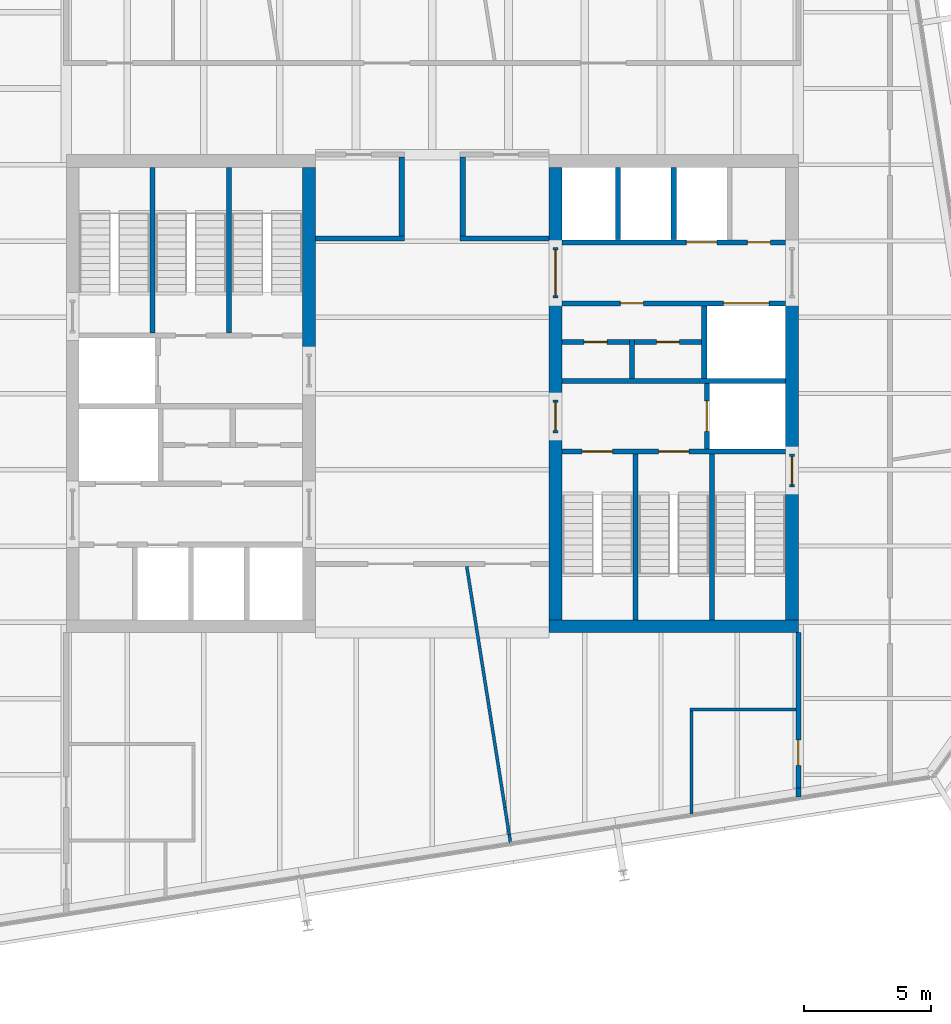
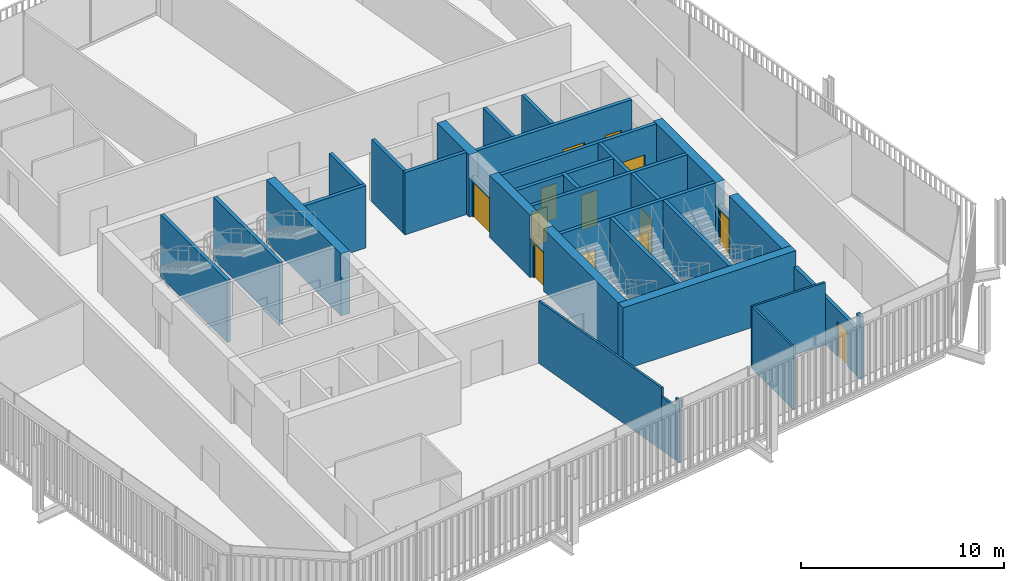
# One storey, part 17 of 20: 35 walls, 13 doors, 13 openings.
"""IFC4 building model written with IfcOpenShell, lengths in metres."""

from ifc_helpers import new_model, si_unit, direction, frame, frame_2d, origin, place, context, subcontext, project, spatial, rectangle, extrude, material, layer, layer_set, type_object, element, fill, save


model = new_model("IFC4")

# Units and contexts
model_context = context("Model", 3, precision=1e-05, world=origin(), true_north=direction((0.0, 1.0)))
body_context = subcontext(model_context, "Body", "Model", "MODEL_VIEW")
ifc_project = project(units=[si_unit("LENGTHUNIT", "METRE"), si_unit("AREAUNIT", "SQUARE_METRE"), si_unit("VOLUMEUNIT", "CUBIC_METRE"), si_unit("PLANEANGLEUNIT", "RADIAN"), si_unit("MASSUNIT", "GRAM", prefix="KILO")], contexts=[model_context])

# Site, building, storey
site_placement = place(None, origin())
site = spatial("IfcSite", under=ifc_project, at=site_placement, CompositionType="ELEMENT")
building_placement = place(site_placement, origin())
building = spatial("IfcBuilding", under=site, at=building_placement, Name="Millrace Tower", CompositionType="ELEMENT")
storey_placement = place(building_placement, frame((0.0, 0.0, 216.39990234375)))
storey = spatial("IfcBuildingStorey", under=building, at=storey_placement, Name="L49", CompositionType="ELEMENT", Elevation=216.39990234375)

# Walls
ifc_material_1 = material(Name="Concrete C60", Category="concrete")
ifc_layer_1 = layer(ifc_material_1, 0.5)
ifc_layer_set_1 = layer_set([ifc_layer_1], Name="Concrete C60")
wall_type_1 = type_object("IfcWallType", Name="Core wall 500 Concrete C60", PredefinedType="SHEAR", material=ifc_layer_set_1)
wall_1_placement = place(storey_placement, frame((-4.85009765625, 1.550048828125, 0.0), z_axis=(0.0, 0.0, 1.0), x_axis=(0.0, 1.0, 0.0)))
element("IfcWall", 1, at=wall_1_placement, inside=storey, type_object=wall_type_1, Name="Core wall W L49", PredefinedType="SHEAR", context=body_context, shape_type="SweptSolid", body=[
    extrude(rectangle(XDim=7.349853515625, YDim=0.5, at=frame_2d((3.6748046875, 0.0))), origin(), (0.0, 0.0, 1.0), 3.739990234375),
])
wall_2_placement = place(storey_placement, frame((14.39990234375, -9.14990234375, 0.0), z_axis=(0.0, 0.0, 1.0), x_axis=(-1.0, 0.0, 0.0)))
element("IfcWall", 2, at=wall_2_placement, inside=storey, type_object=wall_type_1, Name="Core wall E L49", PredefinedType="SHEAR", context=body_context, shape_type="SweptSolid", body=[
    extrude(rectangle(XDim=9.7998046875, YDim=0.5, at=frame_2d((4.89990234375, 0.0))), origin(), (0.0, 0.0, 1.0), 3.739990234375),
])
wall_3_placement = place(storey_placement, frame((14.14990234375, 3.75, 0.0), z_axis=(0.0, 0.0, 1.0), x_axis=(0.0, -1.0, 0.0)))
element("IfcWall", 3, at=wall_3_placement, inside=storey, type_object=wall_type_1, Name="Core wall E L49", PredefinedType="SHEAR", context=body_context, shape_type="SweptSolid", body=[
    extrude(rectangle(XDim=6.1298828125, YDim=0.5, at=frame_2d((3.06494140625, 0.0))), origin(), (0.0, 0.0, 1.0), 3.739990234375),
])
wall_4_placement = place(storey_placement, frame((14.14990234375, -3.679931640625, 0.0), z_axis=(0.0, 0.0, 1.0), x_axis=(0.0, -1.0, 0.0)))
element("IfcWall", 4, at=wall_4_placement, inside=storey, type_object=wall_type_1, Name="Core wall E L49", PredefinedType="SHEAR", context=body_context, shape_type="SweptSolid", body=[
    extrude(rectangle(XDim=5.219970703125, YDim=0.5, at=frame_2d((2.60986328125, 0.0))), origin(), (0.0, 0.0, 1.0), 3.739990234375),
])
wall_5_placement = place(storey_placement, frame((4.85009765625, 8.89990234375, 0.0), z_axis=(0.0, 0.0, 1.0), x_axis=(0.0, -1.0, 0.0)))
element("IfcWall", 5, at=wall_5_placement, inside=storey, type_object=wall_type_1, Name="Core wall E L49", PredefinedType="SHEAR", context=body_context, shape_type="SweptSolid", body=[
    extrude(rectangle(XDim=3.14990234375, YDim=0.5, at=frame_2d((1.574951171875, 0.0))), origin(), (0.0, 0.0, 1.0), 3.739990234375),
])
wall_6_placement = place(storey_placement, frame((4.85009765625, 3.75, 0.0), z_axis=(0.0, 0.0, 1.0), x_axis=(0.0, -1.0, 0.0)))
element("IfcWall", 6, at=wall_6_placement, inside=storey, type_object=wall_type_1, Name="Core wall E L49", PredefinedType="SHEAR", context=body_context, shape_type="SweptSolid", body=[
    extrude(rectangle(XDim=4.0, YDim=0.5, at=frame_2d((2.0, 0.0))), origin(), (0.0, 0.0, 1.0), 3.739990234375),
])
wall_7_placement = place(storey_placement, frame((4.85009765625, -1.550048828125, 0.0), z_axis=(0.0, 0.0, 1.0), x_axis=(0.0, -1.0, 0.0)))
element("IfcWall", 7, at=wall_7_placement, inside=storey, type_object=wall_type_1, Name="Core wall E L49", PredefinedType="SHEAR", context=body_context, shape_type="SweptSolid", body=[
    extrude(rectangle(XDim=7.349853515625, YDim=0.5, at=frame_2d((3.6748046875, 0.0))), origin(), (0.0, 0.0, 1.0), 3.739990234375),
])
ifc_material_2 = material(Name="Masonry partition, fire-rated", Category="masonry")
ifc_layer_2 = layer(ifc_material_2, 0.199951171875)
ifc_layer_set_2 = layer_set([ifc_layer_2], Name="Masonry partition, fire-rated")
wall_type_2 = type_object("IfcWallType", Name="Corridor wall 200", PredefinedType="PARTITIONING", material=ifc_layer_set_2)
for number, where, z_axis, x_axis, name in (
    (8, (-4.60009765625, 6.10009765625, 0.0), (0.0, 0.0, 1.0), (1.0, 0.0, 0.0), "Corridor wall L49"),
    (9, (1.10009765625, 6.10009765625, 0.0), (0.0, 0.0, 1.0), (1.0, 0.0, 0.0), "Corridor wall L49"),
):
    element("IfcWall", number, at=place(storey_placement, frame(where, z_axis=z_axis, x_axis=x_axis)), inside=storey, type_object=wall_type_2, Name=name, PredefinedType="PARTITIONING", context=body_context, shape_type="SweptSolid", body=[
        extrude(rectangle(XDim=3.5, YDim=0.199951171875, at=frame_2d((1.75, 0.0))), origin(), (0.0, 0.0, 1.0), 3.739990234375),
    ])
wall_8_placement = place(storey_placement, frame((14.39990234375, -15.87451171875, 0.0), z_axis=(0.0, 0.0, 1.0), x_axis=(0.0, 1.0, 0.0)))
element("IfcWall", 10, at=wall_8_placement, inside=storey, type_object=wall_type_2, Name="Corridor wall L49", PredefinedType="PARTITIONING", context=body_context, shape_type="SweptSolid", body=[
    extrude(rectangle(XDim=0.349609375, YDim=0.199951171875, at=frame_2d((0.1748046875, 0.0))), origin(), (0.0, 0.0, 1.0), 3.739990234375),
])

# Wall, opening, door
wall_9_placement = place(storey_placement, frame((14.39990234375, -15.52490234375, 0.0), z_axis=(0.0, 0.0, 1.0), x_axis=(0.0, 1.0, 0.0)))
wall_9 = element("IfcWall", 11, at=wall_9_placement, inside=storey, type_object=wall_type_2, Name="Corridor wall L49", PredefinedType="PARTITIONING", context=body_context, shape_type="SweptSolid", body=[
    extrude(rectangle(XDim=6.125, YDim=0.199951171875, at=frame_2d((3.0625, 0.0))), origin(), (0.0, 0.0, 1.0), 2.81298828125),
])
opening_1_placement = place(wall_9_placement, frame((0.90087890625, 0.0, 0.0)))
opening_1 = element("IfcOpeningElement", 12, at=opening_1_placement, cuts=wall_9, Name="Opening 49-P018", PredefinedType="OPENING", context=body_context, shape_type="SweptSolid", body=[
    extrude(rectangle(XDim=1.0, YDim=2.10009765625, at=frame_2d((0.5, 1.050048828125))), frame((0.0, 0.10986328125, 0.0), z_axis=(0.0, -1.0, 0.0), x_axis=(1.0, 0.0, 0.0)), (0.0, 0.0, 1.0), 0.219970703125),
])
ifc_material_3 = material(Name="Steel door set, fire-rated", Category="steel")
door_type_1 = type_object("IfcDoorType", Name="Corridor door 1000 x 2100", OperationType="SINGLE_SWING_LEFT", PredefinedType="DOOR", material=ifc_material_3)
door_1_placement = place(opening_1_placement, origin())
door_1 = element("IfcDoor", 13, at=door_1_placement, inside=storey, type_object=door_type_1, Name="Door 49-P018", OperationType="SINGLE_SWING_LEFT", OverallHeight=2.10009765625, OverallWidth=1.0, PredefinedType="DOOR", context=body_context, shape_type="SweptSolid", body=[
    extrude(rectangle(XDim=1.0, YDim=2.10009765625, at=frame_2d((0.5, 1.050048828125))), frame((0.0, 0.02490234375, 0.0), z_axis=(0.0, -1.0, 0.0), x_axis=(1.0, 0.0, 0.0)), (0.0, 0.0, 1.0), 0.050048828125),
])
fill(opening_1, door_1)

# Walls
for number, where, z_axis, x_axis, name in (
    (14, (1.199951171875, 6.199951171875, 0.0), (0.0, 0.0, 1.0), (0.0, 1.0, 0.0), "Corridor wall L49"),
    (15, (-1.199951171875, 6.199951171875, 0.0), (0.0, 0.0, 1.0), (0.0, 1.0, 0.0), "Corridor wall L49"),
):
    element("IfcWall", number, at=place(storey_placement, frame(where, z_axis=z_axis, x_axis=x_axis)), inside=storey, type_object=wall_type_2, Name=name, PredefinedType="PARTITIONING", context=body_context, shape_type="SweptSolid", body=[
        extrude(rectangle(XDim=3.10009765625, YDim=0.199951171875, at=frame_2d((1.550048828125, 0.0))), origin(), (0.0, 0.0, 1.0), 3.739990234375),
    ])

# Wall, openings, doors
ifc_material_4 = material(Name="Masonry partition, fire-rated", Category="masonry")
ifc_layer_3 = layer(ifc_material_4, 0.199951171875)
ifc_layer_set_3 = layer_set([ifc_layer_3], Name="Masonry partition, fire-rated")
wall_type_3 = type_object("IfcWallType", Name="Lift shaft wall 200", PredefinedType="PARTITIONING", material=ifc_layer_set_3)
wall_10_placement = place(storey_placement, frame((13.89990234375, 5.949951171875, 0.0), z_axis=(0.0, 0.0, 1.0), x_axis=(-1.0, 0.0, 0.0)))
wall_10 = element("IfcWall", 16, at=wall_10_placement, inside=storey, type_object=wall_type_3, Name="Lift shaft wall E L49", PredefinedType="PARTITIONING", context=body_context, shape_type="SweptSolid", body=[
    extrude(rectangle(XDim=8.7998046875, YDim=0.199951171875, at=frame_2d((4.39990234375, 0.0))), origin(), (0.0, 0.0, 1.0), 3.739990234375),
])
opening_2_placement = place(wall_10_placement, frame((2.699951171875, 0.0, 0.0)))
opening_2 = element("IfcOpeningElement", 17, at=opening_2_placement, cuts=wall_10, Name="Opening 49-LD10", PredefinedType="OPENING", context=body_context, shape_type="SweptSolid", body=[
    extrude(rectangle(XDim=1.199951171875, YDim=2.10009765625, at=frame_2d((0.60009765625, 1.050048828125))), frame((0.0, 0.10986328125, 0.0), z_axis=(0.0, -1.0, 0.0), x_axis=(1.0, 0.0, 0.0)), (0.0, 0.0, 1.0), 0.219970703125),
])
opening_3_placement = place(wall_10_placement, frame((0.60009765625, 0.0, 0.0)))
opening_3 = element("IfcOpeningElement", 18, at=opening_3_placement, cuts=wall_10, Name="Opening 49-C015", PredefinedType="OPENING", context=body_context, shape_type="SweptSolid", body=[
    extrude(rectangle(XDim=0.89990234375, YDim=2.10009765625, at=frame_2d((0.449951171875, 1.050048828125))), frame((0.0, 0.10986328125, 0.0), z_axis=(0.0, -1.0, 0.0), x_axis=(1.0, 0.0, 0.0)), (0.0, 0.0, 1.0), 0.219970703125),
])
ifc_material_5 = material(Name="Stainless steel, fire-rated", Category="steel")
door_type_2 = type_object("IfcDoorType", Name="Lift landing door 1200 x 2100", OperationType="DOUBLE_DOOR_SLIDING", PredefinedType="DOOR", material=ifc_material_5)
door_2_placement = place(opening_2_placement, origin())
door_2 = element("IfcDoor", 19, at=door_2_placement, inside=storey, type_object=door_type_2, Name="Lift landing door LF10 L49", OperationType="DOUBLE_DOOR_SLIDING", OverallHeight=2.10009765625, OverallWidth=1.199951171875, PredefinedType="DOOR", context=body_context, shape_type="SweptSolid", body=[
    extrude(rectangle(XDim=1.199951171875, YDim=2.10009765625, at=frame_2d((0.60009765625, 1.050048828125))), frame((0.0, 0.02490234375, 0.0), z_axis=(0.0, -1.0, 0.0), x_axis=(1.0, 0.0, 0.0)), (0.0, 0.0, 1.0), 0.050048828125),
])
fill(opening_2, door_2)
ifc_material_6 = material(Name="Steel door, fire-rated", Category="steel")
door_type_3 = type_object("IfcDoorType", Name="Service room door 900 x 2100", OperationType="SINGLE_SWING_LEFT", PredefinedType="DOOR", material=ifc_material_6)
door_3_placement = place(opening_3_placement, frame((0.89990234375, 0.0, 0.0), z_axis=(0.0, 0.0, 1.0), x_axis=(-1.0, 0.0, 0.0)))
door_3 = element("IfcDoor", 20, at=door_3_placement, inside=storey, type_object=door_type_3, Name="Service room door 49-C015", OperationType="SINGLE_SWING_RIGHT", OverallHeight=2.10009765625, OverallWidth=0.89990234375, PredefinedType="DOOR", context=body_context, shape_type="SweptSolid", body=[
    extrude(rectangle(XDim=0.89990234375, YDim=2.10009765625, at=frame_2d((0.449951171875, 1.050048828125))), frame((0.0, 0.02490234375, 0.0), z_axis=(0.0, -1.0, 0.0), x_axis=(1.0, 0.0, 0.0)), (0.0, 0.0, 1.0), 0.050048828125),
])
fill(opening_3, door_3)

wall_11_placement = place(storey_placement, frame((13.89990234375, 3.550048828125, 0.0), z_axis=(0.0, 0.0, 1.0), x_axis=(-1.0, 0.0, 0.0)))
wall_11 = element("IfcWall", 21, at=wall_11_placement, inside=storey, type_object=wall_type_3, Name="Lift shaft wall E L49", PredefinedType="PARTITIONING", context=body_context, shape_type="SweptSolid", body=[
    extrude(rectangle(XDim=8.7998046875, YDim=0.199951171875, at=frame_2d((4.39990234375, 0.0))), origin(), (0.0, 0.0, 1.0), 3.739990234375),
])
opening_4_placement = place(wall_11_placement, frame((0.64990234375, 0.0, 0.0)))
opening_4 = element("IfcOpeningElement", 22, at=opening_4_placement, cuts=wall_11, Name="Opening 49-LD13", PredefinedType="OPENING", context=body_context, shape_type="SweptSolid", body=[
    extrude(rectangle(XDim=1.800048828125, YDim=2.10009765625, at=frame_2d((0.89990234375, 1.050048828125))), frame((0.0, 0.10986328125, 0.0), z_axis=(0.0, -1.0, 0.0), x_axis=(1.0, 0.0, 0.0)), (0.0, 0.0, 1.0), 0.219970703125),
])
opening_5_placement = place(wall_11_placement, frame((5.60009765625, 0.0, 0.0)))
opening_5 = element("IfcOpeningElement", 23, at=opening_5_placement, cuts=wall_11, Name="Opening 49-C016", PredefinedType="OPENING", context=body_context, shape_type="SweptSolid", body=[
    extrude(rectangle(XDim=0.89990234375, YDim=2.10009765625, at=frame_2d((0.449951171875, 1.050048828125))), frame((0.0, 0.10986328125, 0.0), z_axis=(0.0, -1.0, 0.0), x_axis=(1.0, 0.0, 0.0)), (0.0, 0.0, 1.0), 0.219970703125),
])
ifc_material_7 = material(Name="Stainless steel, fire-rated", Category="steel")
door_type_4 = type_object("IfcDoorType", Name="Lift landing door 1800 x 2100", OperationType="DOUBLE_DOOR_SLIDING", PredefinedType="DOOR", material=ifc_material_7)
door_4_placement = place(opening_4_placement, origin())
door_4 = element("IfcDoor", 24, at=door_4_placement, inside=storey, type_object=door_type_4, Name="Lift landing door LF13 L49", OperationType="DOUBLE_DOOR_SLIDING", OverallHeight=2.10009765625, OverallWidth=1.800048828125, PredefinedType="DOOR", context=body_context, shape_type="SweptSolid", body=[
    extrude(rectangle(XDim=1.800048828125, YDim=2.10009765625, at=frame_2d((0.89990234375, 1.050048828125))), frame((0.0, 0.02490234375, 0.0), z_axis=(0.0, -1.0, 0.0), x_axis=(1.0, 0.0, 0.0)), (0.0, 0.0, 1.0), 0.050048828125),
])
fill(opening_4, door_4)
door_5_placement = place(opening_5_placement, frame((0.89990234375, 0.0, 0.0), z_axis=(0.0, 0.0, 1.0), x_axis=(-1.0, 0.0, 0.0)))
door_5 = element("IfcDoor", 25, at=door_5_placement, inside=storey, type_object=door_type_3, Name="Service room door 49-C016", OperationType="SINGLE_SWING_LEFT", OverallHeight=2.10009765625, OverallWidth=0.89990234375, PredefinedType="DOOR", context=body_context, shape_type="SweptSolid", body=[
    extrude(rectangle(XDim=0.89990234375, YDim=2.10009765625, at=frame_2d((0.449951171875, 1.050048828125))), frame((0.0, 0.02490234375, 0.0), z_axis=(0.0, -1.0, 0.0), x_axis=(1.0, 0.0, 0.0)), (0.0, 0.0, 1.0), 0.050048828125),
])
fill(opening_5, door_5)

# Wall
wall_12_placement = place(storey_placement, frame((13.89990234375, 0.5, 0.0), z_axis=(0.0, 0.0, 1.0), x_axis=(-1.0, 0.0, 0.0)))
element("IfcWall", 26, at=wall_12_placement, inside=storey, type_object=wall_type_3, Name="Lift shaft wall E L49", PredefinedType="PARTITIONING", context=body_context, shape_type="SweptSolid", body=[
    extrude(rectangle(XDim=8.7998046875, YDim=0.199951171875, at=frame_2d((4.39990234375, 0.0))), origin(), (0.0, 0.0, 1.0), 3.739990234375),
])

# Wall, opening, door
wall_13_placement = place(storey_placement, frame((10.800048828125, 0.39990234375, 0.0), z_axis=(0.0, 0.0, 1.0), x_axis=(0.0, -1.0, 0.0)))
wall_13 = element("IfcWall", 27, at=wall_13_placement, inside=storey, type_object=wall_type_3, Name="Lift shaft wall E L49", PredefinedType="PARTITIONING", context=body_context, shape_type="SweptSolid", body=[
    extrude(rectangle(XDim=2.579833984375, YDim=0.199951171875, at=frame_2d((1.2900390625, 0.0))), origin(), (0.0, 0.0, 1.0), 3.739990234375),
])
opening_6_placement = place(wall_13_placement, frame((0.68994140625, 0.0, 0.0)))
opening_6 = element("IfcOpeningElement", 28, at=opening_6_placement, cuts=wall_13, Name="Opening 49-LD16", PredefinedType="OPENING", context=body_context, shape_type="SweptSolid", body=[
    extrude(rectangle(XDim=1.199951171875, YDim=2.10009765625, at=frame_2d((0.60009765625, 1.050048828125))), frame((0.0, 0.10986328125, 0.0), z_axis=(0.0, -1.0, 0.0), x_axis=(1.0, 0.0, 0.0)), (0.0, 0.0, 1.0), 0.219970703125),
])
door_6_placement = place(opening_6_placement, origin())
door_6 = element("IfcDoor", 29, at=door_6_placement, inside=storey, type_object=door_type_2, Name="Lift landing door LF16 L49", OperationType="DOUBLE_DOOR_SLIDING", OverallHeight=2.10009765625, OverallWidth=1.199951171875, PredefinedType="DOOR", context=body_context, shape_type="SweptSolid", body=[
    extrude(rectangle(XDim=1.199951171875, YDim=2.10009765625, at=frame_2d((0.60009765625, 1.050048828125))), frame((0.0, 0.02490234375, 0.0), z_axis=(0.0, -1.0, 0.0), x_axis=(1.0, 0.0, 0.0)), (0.0, 0.0, 1.0), 0.050048828125),
])
fill(opening_6, door_6)

# Walls
for number, where, z_axis, x_axis, name in (
    (30, (9.5, 8.89990234375, 0.0), (0.0, 0.0, 1.0), (0.0, -1.0, 0.0), "Lift shaft wall E L49"),
    (31, (7.300048828125, 8.89990234375, 0.0), (0.0, 0.0, 1.0), (0.0, -1.0, 0.0), "Lift shaft wall E L49"),
    (32, (10.699951171875, 3.449951171875, 0.0), (0.0, 0.0, 1.0), (0.0, -1.0, 0.0), "Lift shaft wall E L49"),
):
    element("IfcWall", number, at=place(storey_placement, frame(where, z_axis=z_axis, x_axis=x_axis)), inside=storey, type_object=wall_type_3, Name=name, PredefinedType="PARTITIONING", context=body_context, shape_type="SweptSolid", body=[
        extrude(rectangle(XDim=2.849853515625, YDim=0.199951171875, at=frame_2d((1.4248046875, 0.0))), origin(), (0.0, 0.0, 1.0), 3.739990234375),
    ])

# Wall, opening, door
ifc_material_8 = material(Name="Masonry partition, fire-rated", Category="masonry")
ifc_layer_4 = layer(ifc_material_8, 0.199951171875)
ifc_layer_set_4 = layer_set([ifc_layer_4], Name="Masonry partition, fire-rated")
wall_type_4 = type_object("IfcWallType", Name="Lobby wall 200", PredefinedType="PARTITIONING", material=ifc_layer_set_4)
wall_14_placement = place(storey_placement, frame((4.85009765625, 5.75, 0.0), z_axis=(0.0, 0.0, 1.0), x_axis=(0.0, -1.0, 0.0)))
wall_14 = element("IfcWall", 33, at=wall_14_placement, inside=storey, type_object=wall_type_4, Name="Lobby wall E L49", PredefinedType="PARTITIONING", context=body_context, shape_type="SweptSolid", body=[
    extrude(rectangle(XDim=2.0, YDim=0.199951171875, at=frame_2d((1.0, 0.0))), origin(), (0.0, 0.0, 1.0), 2.400146484375),
])
opening_7_placement = place(wall_14_placement, frame((0.10009765625, 0.0, 0.0)))
opening_7 = element("IfcOpeningElement", 34, at=opening_7_placement, cuts=wall_14, Name="Opening 49-C013", PredefinedType="OPENING", context=body_context, shape_type="SweptSolid", body=[
    extrude(rectangle(XDim=1.800048828125, YDim=2.10009765625, at=frame_2d((0.89990234375, 1.050048828125))), frame((0.0, 0.10986328125, 0.0), z_axis=(0.0, -1.0, 0.0), x_axis=(1.0, 0.0, 0.0)), (0.0, 0.0, 1.0), 0.219970703125),
])
ifc_material_9 = material(Name="Steel door, fire-rated", Category="steel")
door_type_5 = type_object("IfcDoorType", Name="Lobby door 1800 x 2100", OperationType="DOUBLE_DOOR_SINGLE_SWING", PredefinedType="DOOR", material=ifc_material_9)
door_7_placement = place(opening_7_placement, frame((1.800048828125, 0.0, 0.0), z_axis=(0.0, 0.0, 1.0), x_axis=(-1.0, 0.0, 0.0)))
door_7 = element("IfcDoor", 35, at=door_7_placement, inside=storey, type_object=door_type_5, Name="Lobby door 49-C013", OperationType="DOUBLE_DOOR_SINGLE_SWING", OverallHeight=2.10009765625, OverallWidth=1.800048828125, PredefinedType="DOOR", context=body_context, shape_type="SweptSolid", body=[
    extrude(rectangle(XDim=1.800048828125, YDim=2.10009765625, at=frame_2d((0.89990234375, 1.050048828125))), frame((0.0, 0.02490234375, 0.0), z_axis=(0.0, -1.0, 0.0), x_axis=(1.0, 0.0, 0.0)), (0.0, 0.0, 1.0), 0.050048828125),
])
fill(opening_7, door_7)

wall_15_placement = place(storey_placement, frame((4.85009765625, -0.25, 0.0), z_axis=(0.0, 0.0, 1.0), x_axis=(0.0, -1.0, 0.0)))
wall_15 = element("IfcWall", 36, at=wall_15_placement, inside=storey, type_object=wall_type_4, Name="Lobby wall E L49", PredefinedType="PARTITIONING", context=body_context, shape_type="SweptSolid", body=[
    extrude(rectangle(XDim=1.300048828125, YDim=0.199951171875, at=frame_2d((0.64990234375, 0.0))), origin(), (0.0, 0.0, 1.0), 2.400146484375),
])
opening_8_placement = place(wall_15_placement, frame((0.10009765625, 0.0, 0.0)))
opening_8 = element("IfcOpeningElement", 37, at=opening_8_placement, cuts=wall_15, Name="Opening 49-C014", PredefinedType="OPENING", context=body_context, shape_type="SweptSolid", body=[
    extrude(rectangle(XDim=1.10009765625, YDim=2.10009765625, at=frame_2d((0.550048828125, 1.050048828125))), frame((0.0, 0.10986328125, 0.0), z_axis=(0.0, -1.0, 0.0), x_axis=(1.0, 0.0, 0.0)), (0.0, 0.0, 1.0), 0.219970703125),
])
ifc_material_10 = material(Name="Steel door, fire-rated", Category="steel")
door_type_6 = type_object("IfcDoorType", Name="Lobby door 1100 x 2100", OperationType="SINGLE_SWING_LEFT", PredefinedType="DOOR", material=ifc_material_10)
door_8_placement = place(opening_8_placement, frame((1.10009765625, 0.0, 0.0), z_axis=(0.0, 0.0, 1.0), x_axis=(-1.0, 0.0, 0.0)))
door_8 = element("IfcDoor", 38, at=door_8_placement, inside=storey, type_object=door_type_6, Name="Lobby door 49-C014", OperationType="SINGLE_SWING_LEFT", OverallHeight=2.10009765625, OverallWidth=1.10009765625, PredefinedType="DOOR", context=body_context, shape_type="SweptSolid", body=[
    extrude(rectangle(XDim=1.10009765625, YDim=2.10009765625, at=frame_2d((0.550048828125, 1.050048828125))), frame((0.0, 0.02490234375, 0.0), z_axis=(0.0, -1.0, 0.0), x_axis=(1.0, 0.0, 0.0)), (0.0, 0.0, 1.0), 0.050048828125),
])
fill(opening_8, door_8)

# Walls
ifc_material_11 = material(Name="Gypsum board partition")
ifc_layer_5 = layer(ifc_material_11, 0.1201171875)
ifc_layer_set_5 = layer_set([ifc_layer_5], Name="Gypsum board partition")
wall_type_5 = type_object("IfcWallType", Name="Partition wall 120", PredefinedType="PARTITIONING", material=ifc_layer_set_5)
wall_16_placement = place(storey_placement, frame((1.355712890625, -6.798828125, 0.0), z_axis=(0.0, 0.0, 1.0), x_axis=(0.15639059341, -0.98769528818, 0.0)))
element("IfcWall", 39, at=wall_16_placement, inside=storey, type_object=wall_type_5, Name="Partition wall L49", PredefinedType="PARTITIONING", context=body_context, shape_type="SweptSolid", body=[
    extrude(rectangle(XDim=9.60693359375, YDim=0.1201171875, at=frame_2d((4.803466796875, 0.0))), origin(), (0.0, 0.0, 1.0), 3.739990234375),
])
wall_17_placement = place(storey_placement, frame((2.858154296875, -16.28759765625, 0.0), z_axis=(0.0, 0.0, 1.0), x_axis=(0.156535041478, -0.987672405603, 0.0)))
element("IfcWall", 40, at=wall_17_placement, inside=storey, type_object=wall_type_5, Name="Partition wall L49", PredefinedType="PARTITIONING", context=body_context, shape_type="SweptSolid", body=[
    extrude(rectangle(XDim=1.072998046875, YDim=0.1201171875, at=frame_2d((0.53662109375, 0.0))), origin(), (0.0, 0.0, 1.0), 3.21435546875),
])
wall_18_placement = place(storey_placement, frame((3.026123046875, -17.347412109375, 0.0), z_axis=(0.0, 0.0, 1.0), x_axis=(0.155730772494, -0.987799537608, 0.0)))
element("IfcWall", 41, at=wall_18_placement, inside=storey, type_object=wall_type_5, Name="Partition wall L49", PredefinedType="PARTITIONING", context=body_context, shape_type="SweptSolid", body=[
    extrude(rectangle(XDim=0.324462890625, YDim=0.1201171875, at=frame_2d((0.162109375, 0.0))), origin(), (0.0, 0.0, 1.0), 3.739990234375),
])
wall_19_placement = place(storey_placement, frame((10.14013671875, -12.424072265625, 0.0), z_axis=(0.0, 0.0, 1.0), x_axis=(1.0, 0.0, 0.0)))
element("IfcWall", 42, at=wall_19_placement, inside=storey, type_object=wall_type_5, Name="Partition wall L49", PredefinedType="PARTITIONING", context=body_context, shape_type="SweptSolid", body=[
    extrude(rectangle(XDim=4.159912109375, YDim=0.1201171875, at=frame_2d((2.080078125, 0.0))), origin(), (0.0, 0.0, 1.0), 3.739990234375),
])
wall_20_placement = place(storey_placement, frame((10.199951171875, -16.539794921875, 0.0), z_axis=(0.0, 0.0, 1.0), x_axis=(0.0, 1.0, 0.0)))
element("IfcWall", 43, at=wall_20_placement, inside=storey, type_object=wall_type_5, Name="Partition wall L49", PredefinedType="PARTITIONING", context=body_context, shape_type="SweptSolid", body=[
    extrude(rectangle(XDim=4.0556640625, YDim=0.1201171875, at=frame_2d((2.02783203125, 0.0))), origin(), (0.0, 0.0, 1.0), 3.739990234375),
])

# Wall, openings, doors
ifc_material_12 = material(Name="Masonry partition, fire-rated", Category="masonry")
ifc_layer_6 = layer(ifc_material_12, 0.199951171875)
ifc_layer_set_6 = layer_set([ifc_layer_6], Name="Masonry partition, fire-rated")
wall_type_6 = type_object("IfcWallType", Name="Room partition 200", PredefinedType="PARTITIONING", material=ifc_layer_set_6)
wall_21_placement = place(storey_placement, frame((10.60009765625, 2.02490234375, 0.0), z_axis=(0.0, 0.0, 1.0), x_axis=(-1.0, 0.0, 0.0)))
wall_21 = element("IfcWall", 44, at=wall_21_placement, inside=storey, type_object=wall_type_6, Name="Room partition E L49", PredefinedType="PARTITIONING", context=body_context, shape_type="SweptSolid", body=[
    extrude(rectangle(XDim=5.5, YDim=0.199951171875, at=frame_2d((2.75, 0.0))), origin(), (0.0, 0.0, 1.0), 3.739990234375),
])
opening_9_placement = place(wall_21_placement, frame((0.875, 0.0, 0.0)))
opening_9 = element("IfcOpeningElement", 45, at=opening_9_placement, cuts=wall_21, Name="Opening 49-C017", PredefinedType="OPENING", context=body_context, shape_type="SweptSolid", body=[
    extrude(rectangle(XDim=0.89990234375, YDim=2.10009765625, at=frame_2d((0.449951171875, 1.050048828125))), frame((0.0, 0.10986328125, 0.0), z_axis=(0.0, -1.0, 0.0), x_axis=(1.0, 0.0, 0.0)), (0.0, 0.0, 1.0), 0.219970703125),
])
opening_10_placement = place(wall_21_placement, frame((3.72509765625, 0.0, 0.0)))
opening_10 = element("IfcOpeningElement", 46, at=opening_10_placement, cuts=wall_21, Name="Opening 49-C018", PredefinedType="OPENING", context=body_context, shape_type="SweptSolid", body=[
    extrude(rectangle(XDim=0.89990234375, YDim=2.10009765625, at=frame_2d((0.449951171875, 1.050048828125))), frame((0.0, 0.10986328125, 0.0), z_axis=(0.0, -1.0, 0.0), x_axis=(1.0, 0.0, 0.0)), (0.0, 0.0, 1.0), 0.219970703125),
])
door_9_placement = place(opening_9_placement, origin())
door_9 = element("IfcDoor", 47, at=door_9_placement, inside=storey, type_object=door_type_3, Name="Service room door 49-C017", OperationType="SINGLE_SWING_LEFT", OverallHeight=2.10009765625, OverallWidth=0.89990234375, PredefinedType="DOOR", context=body_context, shape_type="SweptSolid", body=[
    extrude(rectangle(XDim=0.89990234375, YDim=2.10009765625, at=frame_2d((0.449951171875, 1.050048828125))), frame((0.0, 0.02490234375, 0.0), z_axis=(0.0, -1.0, 0.0), x_axis=(1.0, 0.0, 0.0)), (0.0, 0.0, 1.0), 0.050048828125),
])
fill(opening_9, door_9)
door_10_placement = place(opening_10_placement, origin())
door_10 = element("IfcDoor", 48, at=door_10_placement, inside=storey, type_object=door_type_3, Name="Service room door 49-C018", OperationType="SINGLE_SWING_RIGHT", OverallHeight=2.10009765625, OverallWidth=0.89990234375, PredefinedType="DOOR", context=body_context, shape_type="SweptSolid", body=[
    extrude(rectangle(XDim=0.89990234375, YDim=2.10009765625, at=frame_2d((0.449951171875, 1.050048828125))), frame((0.0, 0.02490234375, 0.0), z_axis=(0.0, -1.0, 0.0), x_axis=(1.0, 0.0, 0.0)), (0.0, 0.0, 1.0), 0.050048828125),
])
fill(opening_10, door_10)

# Walls
wall_22_placement = place(storey_placement, frame((7.85009765625, 2.125, 0.0), z_axis=(0.0, 0.0, 1.0), x_axis=(0.0, -1.0, 0.0)))
element("IfcWall", 49, at=wall_22_placement, inside=storey, type_object=wall_type_6, Name="Room partition E L49", PredefinedType="PARTITIONING", context=body_context, shape_type="SweptSolid", body=[
    extrude(rectangle(XDim=1.52490234375, YDim=0.199951171875, at=frame_2d((0.762451171875, 0.0))), origin(), (0.0, 0.0, 1.0), 3.739990234375),
])
ifc_material_13 = material(Name="Concrete C40", Category="concrete")
ifc_layer_7 = layer(ifc_material_13, 0.199951171875)
ifc_layer_set_7 = layer_set([ifc_layer_7], Name="Concrete C40")
wall_type_7 = type_object("IfcWallType", Name="Stair enclosure wall 200 Concrete C40", PredefinedType="SHEAR", material=ifc_layer_set_7)
for number, where, z_axis, x_axis, name in (
    (50, (-11.0, 2.3798828125, 0.0), (0.0, 0.0, 1.0), (0.0, 1.0, 0.0), "Stair enclosure wall W L49"),
    (51, (-8.0, 2.3798828125, 0.0), (0.0, 0.0, 1.0), (0.0, 1.0, 0.0), "Stair enclosure wall W L49"),
):
    element("IfcWall", number, at=place(storey_placement, frame(where, z_axis=z_axis, x_axis=x_axis)), inside=storey, type_object=wall_type_7, Name=name, PredefinedType="SHEAR", context=body_context, shape_type="SweptSolid", body=[
        extrude(rectangle(XDim=6.52001953125, YDim=0.199951171875, at=frame_2d((3.260009765625, 0.0))), origin(), (0.0, 0.0, 1.0), 3.739990234375),
    ])

# Wall, opening, door
wall_23_placement = place(storey_placement, frame((14.14990234375, -2.3798828125, 0.0), z_axis=(0.0, 0.0, 1.0), x_axis=(0.0, -1.0, 0.0)))
wall_23 = element("IfcWall", 52, at=wall_23_placement, inside=storey, type_object=wall_type_7, Name="Stair enclosure wall E L49", PredefinedType="SHEAR", context=body_context, shape_type="SweptSolid", body=[
    extrude(rectangle(XDim=1.300048828125, YDim=0.199951171875, at=frame_2d((0.64990234375, 0.0))), origin(), (0.0, 0.0, 1.0), 2.400146484375),
])
opening_11_placement = place(wall_23_placement, frame((0.10009765625, 0.0, 0.0)))
opening_11 = element("IfcOpeningElement", 53, at=opening_11_placement, cuts=wall_23, Name="Opening 49-C012", PredefinedType="OPENING", context=body_context, shape_type="SweptSolid", body=[
    extrude(rectangle(XDim=1.10009765625, YDim=2.10009765625, at=frame_2d((0.550048828125, 1.050048828125))), frame((0.0, 0.10986328125, 0.0), z_axis=(0.0, -1.0, 0.0), x_axis=(1.0, 0.0, 0.0)), (0.0, 0.0, 1.0), 0.219970703125),
])
ifc_material_14 = material(Name="Steel door, fire-rated", Category="steel")
door_type_7 = type_object("IfcDoorType", Name="Stair door 1100 x 2100", OperationType="SINGLE_SWING_LEFT", PredefinedType="DOOR", material=ifc_material_14)
door_11_placement = place(opening_11_placement, origin())
door_11 = element("IfcDoor", 54, at=door_11_placement, inside=storey, type_object=door_type_7, Name="Stair door 49-C012", OperationType="SINGLE_SWING_RIGHT", OverallHeight=2.10009765625, OverallWidth=1.10009765625, PredefinedType="DOOR", context=body_context, shape_type="SweptSolid", body=[
    extrude(rectangle(XDim=1.10009765625, YDim=2.10009765625, at=frame_2d((0.550048828125, 1.050048828125))), frame((0.0, 0.02490234375, 0.0), z_axis=(0.0, -1.0, 0.0), x_axis=(1.0, 0.0, 0.0)), (0.0, 0.0, 1.0), 0.050048828125),
])
fill(opening_11, door_11)

# Wall, openings, doors
wall_24_placement = place(storey_placement, frame((13.89990234375, -2.280029296875, 0.0), z_axis=(0.0, 0.0, 1.0), x_axis=(-1.0, 0.0, 0.0)))
wall_24 = element("IfcWall", 55, at=wall_24_placement, inside=storey, type_object=wall_type_7, Name="Stair enclosure wall E L49", PredefinedType="SHEAR", context=body_context, shape_type="SweptSolid", body=[
    extrude(rectangle(XDim=8.7998046875, YDim=0.199951171875, at=frame_2d((4.39990234375, 0.0))), origin(), (0.0, 0.0, 1.0), 3.739990234375),
])
opening_12_placement = place(wall_24_placement, frame((3.800048828125, 0.0, 0.0)))
opening_12 = element("IfcOpeningElement", 56, at=opening_12_placement, cuts=wall_24, Name="Opening 49-C019", PredefinedType="OPENING", context=body_context, shape_type="SweptSolid", body=[
    extrude(rectangle(XDim=1.199951171875, YDim=2.10009765625, at=frame_2d((0.60009765625, 1.050048828125))), frame((0.0, 0.10986328125, 0.0), z_axis=(0.0, -1.0, 0.0), x_axis=(1.0, 0.0, 0.0)), (0.0, 0.0, 1.0), 0.219970703125),
])
opening_13_placement = place(wall_24_placement, frame((6.800048828125, 0.0, 0.0)))
opening_13 = element("IfcOpeningElement", 57, at=opening_13_placement, cuts=wall_24, Name="Opening 49-C020", PredefinedType="OPENING", context=body_context, shape_type="SweptSolid", body=[
    extrude(rectangle(XDim=1.199951171875, YDim=2.10009765625, at=frame_2d((0.60009765625, 1.050048828125))), frame((0.0, 0.10986328125, 0.0), z_axis=(0.0, -1.0, 0.0), x_axis=(1.0, 0.0, 0.0)), (0.0, 0.0, 1.0), 0.219970703125),
])
ifc_material_15 = material(Name="Steel door, fire-rated", Category="steel")
door_type_8 = type_object("IfcDoorType", Name="Stair door 1200 x 2100", OperationType="SINGLE_SWING_LEFT", PredefinedType="DOOR", material=ifc_material_15)
door_12_placement = place(opening_12_placement, frame((1.199951171875, 0.0, 0.0), z_axis=(0.0, 0.0, 1.0), x_axis=(-1.0, 0.0, 0.0)))
door_12 = element("IfcDoor", 58, at=door_12_placement, inside=storey, type_object=door_type_8, Name="Stair door 49-C019", OperationType="SINGLE_SWING_LEFT", OverallHeight=2.10009765625, OverallWidth=1.199951171875, PredefinedType="DOOR", context=body_context, shape_type="SweptSolid", body=[
    extrude(rectangle(XDim=1.199951171875, YDim=2.10009765625, at=frame_2d((0.60009765625, 1.050048828125))), frame((0.0, 0.02490234375, 0.0), z_axis=(0.0, -1.0, 0.0), x_axis=(1.0, 0.0, 0.0)), (0.0, 0.0, 1.0), 0.050048828125),
])
fill(opening_12, door_12)
door_13_placement = place(opening_13_placement, frame((1.199951171875, 0.0, 0.0), z_axis=(0.0, 0.0, 1.0), x_axis=(-1.0, 0.0, 0.0)))
door_13 = element("IfcDoor", 59, at=door_13_placement, inside=storey, type_object=door_type_8, Name="Stair door 49-C020", OperationType="SINGLE_SWING_LEFT", OverallHeight=2.10009765625, OverallWidth=1.199951171875, PredefinedType="DOOR", context=body_context, shape_type="SweptSolid", body=[
    extrude(rectangle(XDim=1.199951171875, YDim=2.10009765625, at=frame_2d((0.60009765625, 1.050048828125))), frame((0.0, 0.02490234375, 0.0), z_axis=(0.0, -1.0, 0.0), x_axis=(1.0, 0.0, 0.0)), (0.0, 0.0, 1.0), 0.050048828125),
])
fill(opening_13, door_13)

# Walls
for number, where, z_axis, x_axis, name in (
    (60, (11.0, -2.3798828125, 0.0), (0.0, 0.0, 1.0), (0.0, -1.0, 0.0), "Stair enclosure wall E L49"),
    (61, (8.0, -2.3798828125, 0.0), (0.0, 0.0, 1.0), (0.0, -1.0, 0.0), "Stair enclosure wall E L49"),
):
    element("IfcWall", number, at=place(storey_placement, frame(where, z_axis=z_axis, x_axis=x_axis)), inside=storey, type_object=wall_type_7, Name=name, PredefinedType="SHEAR", context=body_context, shape_type="SweptSolid", body=[
        extrude(rectangle(XDim=6.52001953125, YDim=0.199951171875, at=frame_2d((3.260009765625, 0.0))), origin(), (0.0, 0.0, 1.0), 3.739990234375),
    ])

save(model, "model.ifc")
